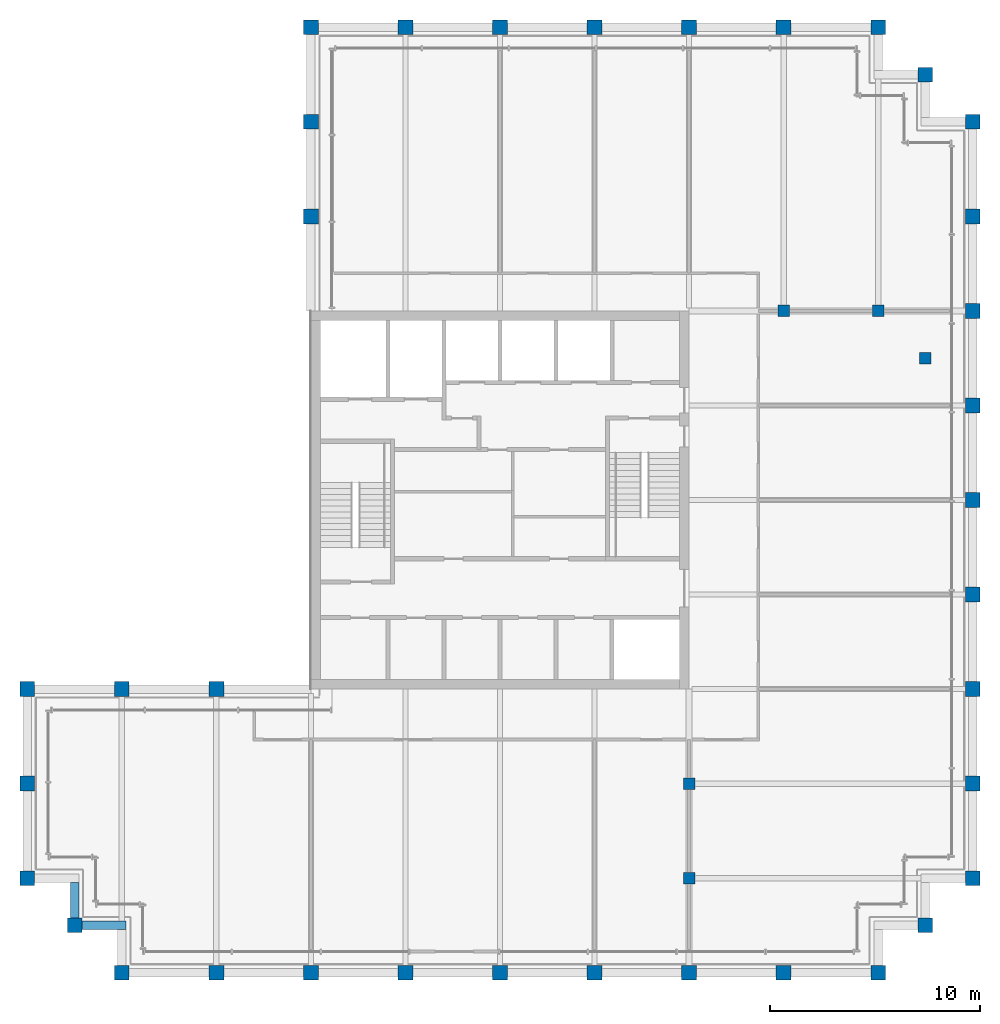
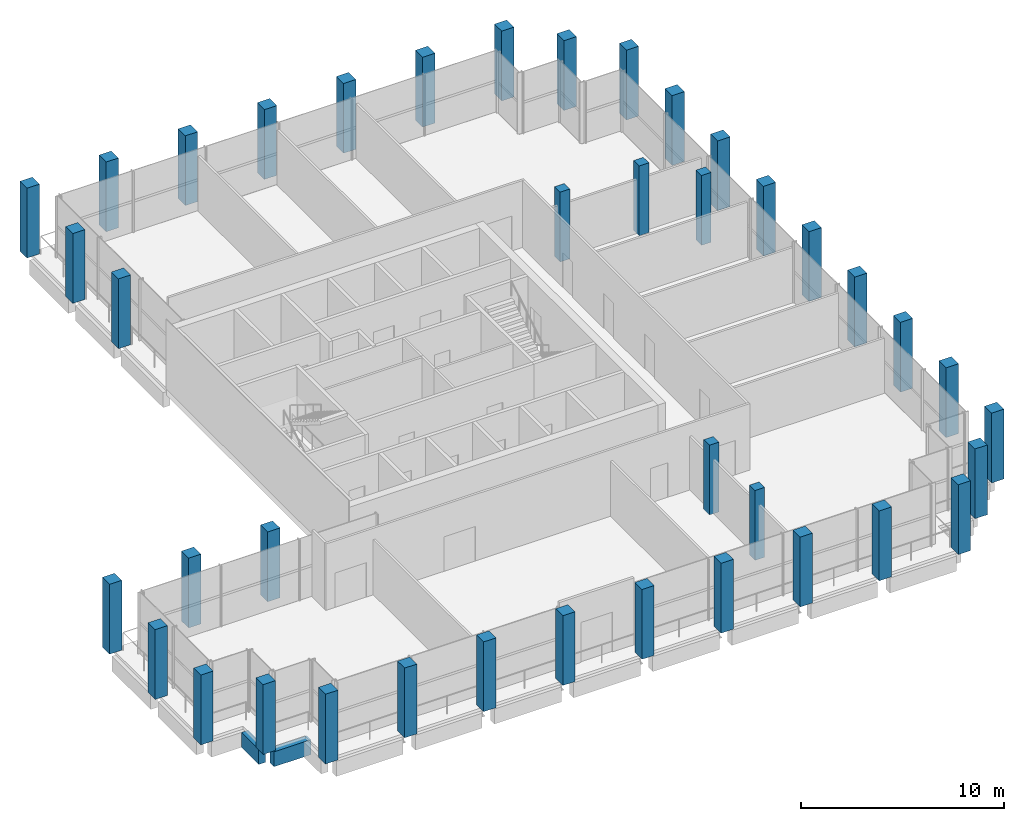
# One storey, part 1 of 17: 40 columns, 2 beams.
"""IFC4 building model written with IfcOpenShell, lengths in metres."""

from ifc_helpers import new_model, si_unit, direction, frame, origin, origin_2d, place, context, subcontext, project, spatial, rectangle, extrude, material, material_profile, profile_set, type_object, element, save


model = new_model("IFC4")

# Units and contexts
model_context = context("Model", 3, precision=1e-05, world=origin(), true_north=direction((0.0, 1.0)))
body_context = subcontext(model_context, "Body", "Model", "MODEL_VIEW")
ifc_project = project(units=[si_unit("LENGTHUNIT", "METRE"), si_unit("AREAUNIT", "SQUARE_METRE"), si_unit("VOLUMEUNIT", "CUBIC_METRE"), si_unit("PLANEANGLEUNIT", "RADIAN"), si_unit("MASSUNIT", "GRAM", prefix="KILO")], contexts=[model_context])

# Site, building, storey
site_placement = place(None, origin())
site = spatial("IfcSite", under=ifc_project, at=site_placement, CompositionType="ELEMENT")
building_placement = place(site_placement, origin())
building = spatial("IfcBuilding", under=site, at=building_placement, Name="Altepetl Exchange Towers", CompositionType="ELEMENT")
storey_placement = place(building_placement, frame((0.0, 0.0, 255.199951171875)))
storey = spatial("IfcBuildingStorey", under=building, at=storey_placement, Name="L65", CompositionType="ELEMENT", Elevation=255.199951171875)

# Columns
ifc_material_1 = material(Name="Concrete C70/85", Category="concrete")
ifc_material_profile_1 = material_profile(ifc_material_1, rectangle(XDim=0.550048828125, YDim=0.550048828125, at=origin_2d()), Name="550 x 550")
ifc_profile_set_1 = profile_set([ifc_material_profile_1], Name="Concrete C70/85")
column_type_1 = type_object("IfcColumnType", Name="Interior column 550", PredefinedType="COLUMN", material=ifc_profile_set_1)
for number, where, name in (
    (1, (58.5, 31.5, 0.0), "col:A:L65:035"),
    (2, (58.5, 36.0, 0.0), "col:A:L65:036"),
    (3, (63.0, 58.5, 0.0), "col:A:L65:037"),
    (4, (67.5, 58.5, 0.0), "col:A:L65:038"),
    (5, (69.75, 56.25, 0.0), "col:A:L65:039"),
):
    element("IfcColumn", number, at=place(storey_placement, frame(where)), inside=storey, type_object=column_type_1, Name=name, PredefinedType="COLUMN", context=body_context, shape_type="SweptSolid", body=[
        extrude(rectangle(XDim=0.550048828125, YDim=0.550048828125, at=origin_2d()), origin(), (0.0, 0.0, 1.0), 4.199951171875),
    ])
ifc_material_2 = material(Name="Concrete C70/85 precast with cantera amarilla facing", Category="concrete")
ifc_material_profile_2 = material_profile(ifc_material_2, rectangle(XDim=0.699951171875, YDim=0.699951171875, at=origin_2d()), Name="700 x 700")
ifc_profile_set_2 = profile_set([ifc_material_profile_2], Name="Concrete C70/85 precast with cantera amarilla facing")
column_type_2 = type_object("IfcColumnType", Name="Perimeter column 700 cantera amarilla", PredefinedType="COLUMN", material=ifc_profile_set_2)
for number, where, name in (
    (6, (58.5, 27.0, 0.0), "col:A:L65:006"),
    (7, (63.0, 27.0, 0.0), "col:A:L65:007"),
    (8, (67.5, 27.0, 0.0), "col:A:L65:008"),
    (9, (69.75, 29.25, 0.0), "col:A:L65:009"),
    (10, (72.0, 31.5, 0.0), "col:A:L65:010"),
    (11, (72.0, 36.0, 0.0), "col:A:L65:011"),
    (12, (72.0, 40.5, 0.0), "col:A:L65:012"),
    (13, (72.0, 45.0, 0.0), "col:A:L65:013"),
    (14, (72.0, 49.5, 0.0), "col:A:L65:014"),
    (15, (72.0, 54.0, 0.0), "col:A:L65:015"),
):
    element("IfcColumn", number, at=place(storey_placement, frame(where)), inside=storey, type_object=column_type_2, Name=name, PredefinedType="COLUMN", context=body_context, shape_type="SweptSolid", body=[
        extrude(rectangle(XDim=0.699951171875, YDim=0.699951171875, at=origin_2d()), origin(), (0.0, 0.0, 1.0), 4.199951171875),
    ])
ifc_material_3 = material(Name="Concrete C70/85 precast with cantera blanca facing", Category="concrete")
ifc_material_profile_3 = material_profile(ifc_material_3, rectangle(XDim=0.699951171875, YDim=0.699951171875, at=origin_2d()), Name="700 x 700")
ifc_profile_set_3 = profile_set([ifc_material_profile_3], Name="Concrete C70/85 precast with cantera blanca facing")
column_type_3 = type_object("IfcColumnType", Name="Perimeter column 700 cantera blanca", PredefinedType="COLUMN", material=ifc_profile_set_3)
for number, where, name in (
    (16, (31.5, 27.0, 0.0), "col:A:L65:000"),
    (17, (36.0, 27.0, 0.0), "col:A:L65:001"),
    (18, (40.5, 27.0, 0.0), "col:A:L65:002"),
    (19, (45.0, 27.0, 0.0), "col:A:L65:003"),
    (20, (49.5, 27.0, 0.0), "col:A:L65:004"),
    (21, (54.0, 27.0, 0.0), "col:A:L65:005"),
    (22, (27.0, 36.0, 0.0), "col:A:L65:032"),
    (23, (27.0, 31.5, 0.0), "col:A:L65:033"),
    (24, (29.25, 29.25, 0.0), "col:A:L65:034"),
):
    element("IfcColumn", number, at=place(storey_placement, frame(where)), inside=storey, type_object=column_type_3, Name=name, PredefinedType="COLUMN", context=body_context, shape_type="SweptSolid", body=[
        extrude(rectangle(XDim=0.699951171875, YDim=0.699951171875, at=origin_2d()), origin(), (0.0, 0.0, 1.0), 4.199951171875),
    ])
ifc_material_4 = material(Name="Concrete C70/85 precast with cantera rosa facing", Category="concrete")
ifc_material_profile_4 = material_profile(ifc_material_4, rectangle(XDim=0.699951171875, YDim=0.699951171875, at=origin_2d()), Name="700 x 700")
ifc_profile_set_4 = profile_set([ifc_material_profile_4], Name="Concrete C70/85 precast with cantera rosa facing")
column_type_4 = type_object("IfcColumnType", Name="Perimeter column 700 cantera rosa", PredefinedType="COLUMN", material=ifc_profile_set_4)
for number, where, name in (
    (25, (72.0, 58.5, 0.0), "col:A:L65:016"),
    (26, (72.0, 63.0, 0.0), "col:A:L65:017"),
    (27, (72.0, 67.5, 0.0), "col:A:L65:018"),
    (28, (69.75, 69.75, 0.0), "col:A:L65:019"),
    (29, (67.5, 72.0, 0.0), "col:A:L65:020"),
    (30, (63.0, 72.0, 0.0), "col:A:L65:021"),
    (31, (58.5, 72.0, 0.0), "col:A:L65:022"),
    (32, (54.0, 72.0, 0.0), "col:A:L65:023"),
    (33, (49.5, 72.0, 0.0), "col:A:L65:024"),
    (34, (45.0, 72.0, 0.0), "col:A:L65:025"),
):
    element("IfcColumn", number, at=place(storey_placement, frame(where)), inside=storey, type_object=column_type_4, Name=name, PredefinedType="COLUMN", context=body_context, shape_type="SweptSolid", body=[
        extrude(rectangle(XDim=0.699951171875, YDim=0.699951171875, at=origin_2d()), origin(), (0.0, 0.0, 1.0), 4.199951171875),
    ])
ifc_material_5 = material(Name="Concrete C70/85 precast with tezontle facing", Category="concrete")
ifc_material_profile_5 = material_profile(ifc_material_5, rectangle(XDim=0.699951171875, YDim=0.699951171875, at=origin_2d()), Name="700 x 700")
ifc_profile_set_5 = profile_set([ifc_material_profile_5], Name="Concrete C70/85 precast with tezontle facing")
column_type_5 = type_object("IfcColumnType", Name="Perimeter column 700 tezontle", PredefinedType="COLUMN", material=ifc_profile_set_5)
for number, where, name in (
    (35, (40.5, 72.0, 0.0), "col:A:L65:026"),
    (36, (40.5, 67.5, 0.0), "col:A:L65:027"),
    (37, (40.5, 63.0, 0.0), "col:A:L65:028"),
    (38, (36.0, 40.5, 0.0), "col:A:L65:029"),
    (39, (31.5, 40.5, 0.0), "col:A:L65:030"),
    (40, (27.0, 40.5, 0.0), "col:A:L65:031"),
):
    element("IfcColumn", number, at=place(storey_placement, frame(where)), inside=storey, type_object=column_type_5, Name=name, PredefinedType="COLUMN", context=body_context, shape_type="SweptSolid", body=[
        extrude(rectangle(XDim=0.699951171875, YDim=0.699951171875, at=origin_2d()), origin(), (0.0, 0.0, 1.0), 4.199951171875),
    ])

# Beams
ifc_material_6 = material(Name="Concrete C50/60 precast with cantera blanca facing", Category="concrete")
ifc_material_profile_6 = material_profile(ifc_material_6, rectangle(XDim=0.39990234375, YDim=0.89990234375, at=origin_2d()), Name="400 x 900")
ifc_profile_set_6 = profile_set([ifc_material_profile_6], Name="Concrete C50/60 precast with cantera blanca facing")
beam_type = type_object("IfcBeamType", Name="Spandrel beam 400x900 cantera blanca", PredefinedType="SPANDREL", material=ifc_profile_set_6)
beam_1_placement = place(storey_placement, frame((29.25, 31.300048828125, -0.625), z_axis=(0.0, -1.0, 0.0), x_axis=(1.0, 0.0, 0.0)))
element("IfcBeam", 41, at=beam_1_placement, inside=storey, type_object=beam_type, Name="sp:A:L65:039", PredefinedType="SPANDREL", context=body_context, shape_type="SweptSolid", body=[
    extrude(rectangle(XDim=0.39990234375, YDim=0.89990234375, at=origin_2d()), origin(), (0.0, 0.0, 1.0), 1.699951171875),
])
beam_2_placement = place(storey_placement, frame((29.60009765625, 29.25, -0.625), z_axis=(1.0, 0.0, 0.0), x_axis=(0.0, 1.0, 0.0)))
element("IfcBeam", 42, at=beam_2_placement, inside=storey, type_object=beam_type, Name="sp:A:L65:040", PredefinedType="SPANDREL", context=body_context, shape_type="SweptSolid", body=[
    extrude(rectangle(XDim=0.39990234375, YDim=0.89990234375, at=origin_2d()), origin(), (0.0, 0.0, 1.0), 2.099853515625),
])

save(model, "model.ifc")
